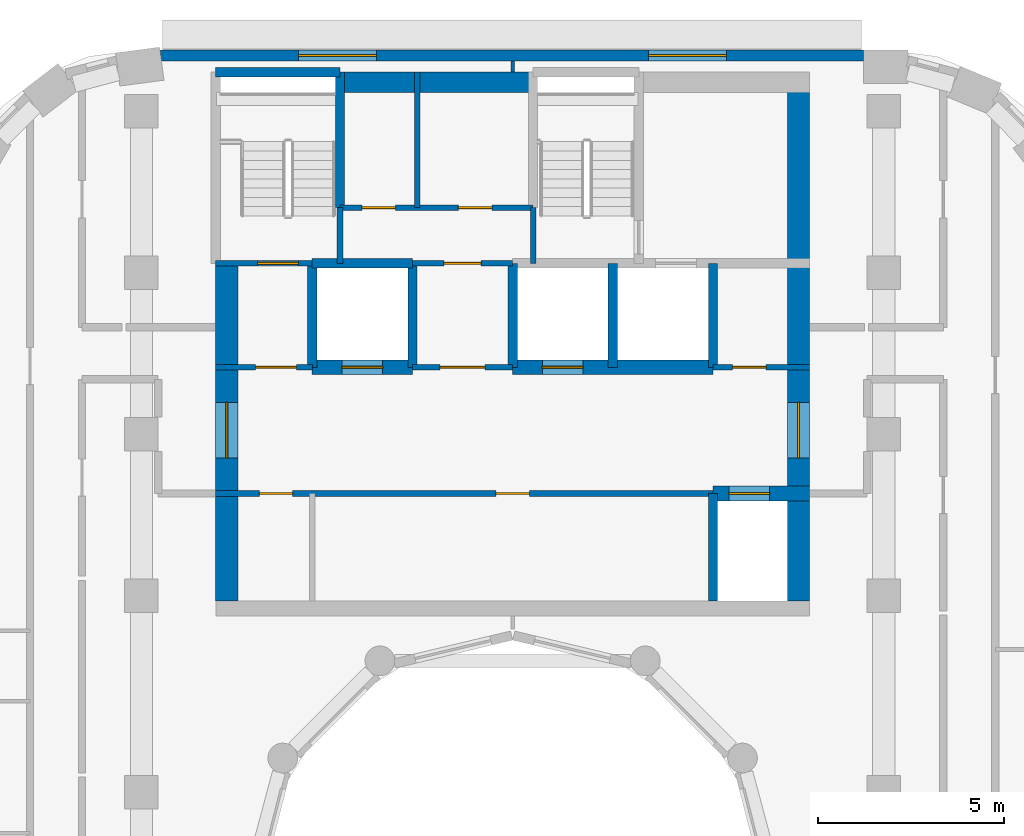
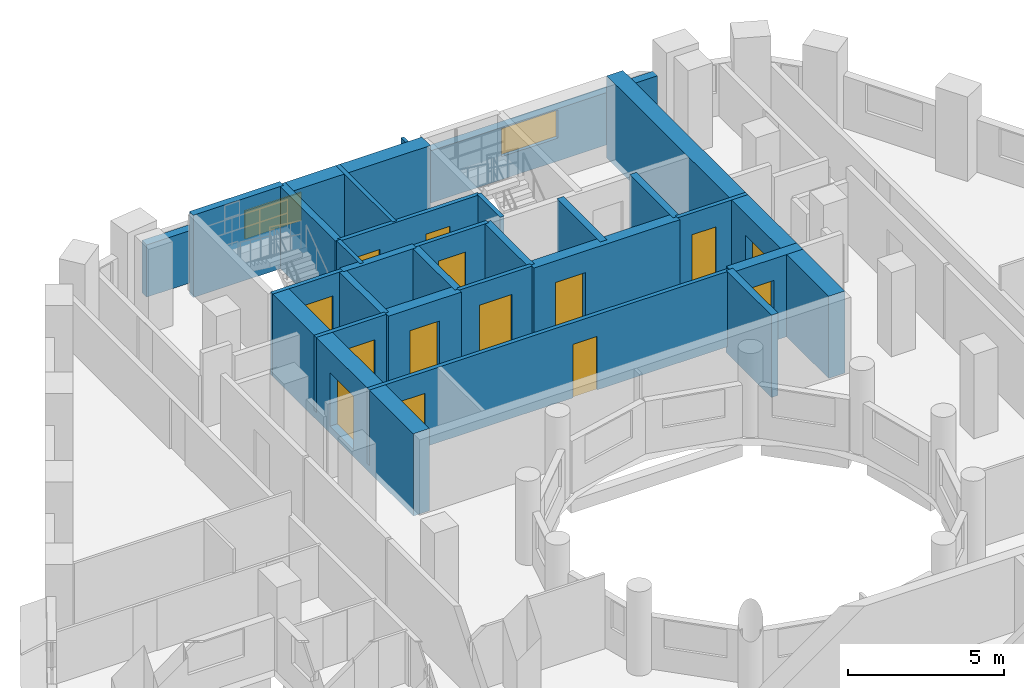
# One storey, part 8 of 15: 27 walls, 14 doors, 2 windows, 16 openings.
"""IFC4 building model written with IfcOpenShell, lengths in metres."""

from ifc_helpers import new_model, si_unit, direction, frame, frame_2d, origin, place, context, subcontext, project, spatial, rectangle, extrude, material, layer, layer_set, type_object, element, fill, save


model = new_model("IFC4")

# Units and contexts
model_context = context("Model", 3, precision=1e-05, world=origin(), true_north=direction((0.0, 1.0)))
body_context = subcontext(model_context, "Body", "Model", "MODEL_VIEW")
ifc_project = project(units=[si_unit("LENGTHUNIT", "METRE"), si_unit("AREAUNIT", "SQUARE_METRE"), si_unit("VOLUMEUNIT", "CUBIC_METRE"), si_unit("PLANEANGLEUNIT", "RADIAN"), si_unit("MASSUNIT", "GRAM", prefix="KILO")], contexts=[model_context])

# Site, building, storey
site_placement = place(None, origin())
site = spatial("IfcSite", under=ifc_project, at=site_placement, CompositionType="ELEMENT")
building_placement = place(site_placement, origin())
building = spatial("IfcBuilding", under=site, at=building_placement, Name="Nakaniwa Court", CompositionType="ELEMENT")
storey_placement = place(building_placement, frame((0.0, 0.0, 216.300048828125)))
storey = spatial("IfcBuildingStorey", under=building, at=storey_placement, Name="L57", CompositionType="ELEMENT", Elevation=216.300048828125)

# Wall, openings, windows
ifc_material_1 = material(Name="Charcoal ceramic cladding")
ifc_layer_1 = layer(ifc_material_1, 0.02, Name="Ceramic cladding")
ifc_material_2 = material(Name="Ventilated air cavity")
ifc_layer_2 = layer(ifc_material_2, 0.04, ventilated=True, Name="Ventilated cavity")
ifc_material_3 = material(Name="Mineral wool insulation")
ifc_layer_3 = layer(ifc_material_3, 0.1, Name="Insulation")
ifc_material_4 = material(Name="Cement bonded sheathing board")
ifc_layer_4 = layer(ifc_material_4, 0.012, Name="Sheathing")
ifc_material_5 = material(Name="Cold-formed galvanised stud frame with mineral wool infill")
ifc_layer_5 = layer(ifc_material_5, 0.1, Name="Stud frame")
ifc_material_6 = material(Name="Fire-rated gypsum plasterboard lining")
ifc_layer_6 = layer(ifc_material_6, 0.028, Name="Lining")
ifc_layer_set_1 = layer_set([ifc_layer_1, ifc_layer_2, ifc_layer_3, ifc_layer_4, ifc_layer_5, ifc_layer_6], Name="Charcoal ceramic faced external wall system")
wall_type_1 = type_object("IfcWallType", Name="Black ceramic faced external wall 300", PredefinedType="SOLIDWALL", material=ifc_layer_set_1)
wall_1_placement = place(storey_placement, frame((89.44921875, 102.5, 0.0), z_axis=(0.0, 0.0, 1.0), x_axis=(-1.0, 0.0, 0.0)))
wall_1 = element("IfcWall", 1, at=wall_1_placement, inside=storey, type_object=wall_type_1, Name="L57 external wall 08", PredefinedType="SOLIDWALL", context=body_context, shape_type="SweptSolid", body=[
    extrude(rectangle(XDim=18.932861328125, YDim=0.300048828125, at=frame_2d((9.46630859375, 0.0))), origin(), (0.0, 0.0, 1.0), 2.050048828125),
])
opening_1_placement = place(wall_1_placement, frame((3.6865234375, 0.0, 0.89990234375)))
opening_1 = element("IfcOpeningElement", 2, at=opening_1_placement, cuts=wall_1, Name="Opening W7.09", PredefinedType="OPENING", context=body_context, shape_type="SweptSolid", body=[
    extrude(rectangle(XDim=2.10009765625, YDim=1.10009765625, at=frame_2d((1.050048828125, 0.550048828125))), frame((0.0, 0.159912109375, 0.0), z_axis=(0.0, -1.0, 0.0), x_axis=(1.0, 0.0, 0.0)), (0.0, 0.0, 1.0), 0.320068359375),
])
opening_2_placement = place(wall_1_placement, frame((13.117919921875, 0.0, 0.89990234375)))
opening_2 = element("IfcOpeningElement", 3, at=opening_2_placement, cuts=wall_1, Name="Opening W7.10", PredefinedType="OPENING", context=body_context, shape_type="SweptSolid", body=[
    extrude(rectangle(XDim=2.10009765625, YDim=1.10009765625, at=frame_2d((1.050048828125, 0.550048828125))), frame((0.0, 0.159912109375, 0.0), z_axis=(0.0, -1.0, 0.0), x_axis=(1.0, 0.0, 0.0)), (0.0, 0.0, 1.0), 0.320068359375),
])
ifc_material_7 = material(Name="Black anodised aluminium frame with dark low-E laminated double glazing", Category="aluminium")
window_type = type_object("IfcWindowType", Name="Dark glass window 2100x1100 sill 900", PartitioningType="SINGLE_PANEL", PredefinedType="WINDOW", material=ifc_material_7)
window_1_placement = place(opening_1_placement, origin())
window_1 = element("IfcWindow", 4, at=window_1_placement, inside=storey, type_object=window_type, Name="L57 habitable room window 08-0", OverallHeight=1.10009765625, OverallWidth=2.10009765625, PartitioningType="SINGLE_PANEL", PredefinedType="WINDOW", context=body_context, shape_type="SweptSolid", body=[
    extrude(rectangle(XDim=2.10009765625, YDim=1.10009765625, at=frame_2d((1.050048828125, 0.550048828125))), frame((0.0, 0.030029296875, 0.0), z_axis=(0.0, -1.0, 0.0), x_axis=(1.0, 0.0, 0.0)), (0.0, 0.0, 1.0), 0.06005859375),
])
fill(opening_1, window_1)
window_2_placement = place(opening_2_placement, origin())
window_2 = element("IfcWindow", 5, at=window_2_placement, inside=storey, type_object=window_type, Name="L57 habitable room window 08-1", OverallHeight=1.10009765625, OverallWidth=2.10009765625, PartitioningType="SINGLE_PANEL", PredefinedType="WINDOW", context=body_context, shape_type="SweptSolid", body=[
    extrude(rectangle(XDim=2.10009765625, YDim=1.10009765625, at=frame_2d((1.050048828125, 0.550048828125))), frame((0.0, 0.030029296875, 0.0), z_axis=(0.0, -1.0, 0.0), x_axis=(1.0, 0.0, 0.0)), (0.0, 0.0, 1.0), 0.06005859375),
])
fill(opening_2, window_2)

# Wall, openings, doors
ifc_material_8 = material(Name="Blockwork partition", Category="masonry")
ifc_layer_7 = layer(ifc_material_8, 0.14990234375)
ifc_layer_set_2 = layer_set([ifc_layer_7], Name="Blockwork partition")
wall_type_2 = type_object("IfcWallType", Name="Blockwork partition 150", PredefinedType="PARTITIONING", material=ifc_layer_set_2)
wall_2_placement = place(storey_placement, frame((85.39990234375, 90.699951171875, 0.0), z_axis=(0.0, 0.0, 1.0), x_axis=(-1.0, 0.0, 0.0)))
wall_2 = element("IfcWall", 6, at=wall_2_placement, inside=storey, type_object=wall_type_2, Name="Partition PW-002", PredefinedType="PARTITIONING", context=body_context, shape_type="SweptSolid", body=[
    extrude(rectangle(XDim=13.39990234375, YDim=0.14990234375, at=frame_2d((6.699951171875, 0.0))), origin(), (0.0, 0.0, 1.0), 2.949951171875),
])
opening_3_placement = place(wall_2_placement, frame((11.324951171875, 0.0, 0.0)))
opening_3 = element("IfcOpeningElement", 7, at=opening_3_placement, cuts=wall_2, Name="Opening D-05-01", PredefinedType="OPENING", context=body_context, shape_type="SweptSolid", body=[
    extrude(rectangle(XDim=0.89990234375, YDim=2.10009765625, at=frame_2d((0.449951171875, 1.050048828125))), frame((0.0, 0.0849609375, 0.0), z_axis=(0.0, -1.0, 0.0), x_axis=(1.0, 0.0, 0.0)), (0.0, 0.0, 1.0), 0.169921875),
])
opening_4_placement = place(wall_2_placement, frame((4.949951171875, 0.0, 0.0)))
opening_4 = element("IfcOpeningElement", 8, at=opening_4_placement, cuts=wall_2, Name="Opening D-05-02", PredefinedType="OPENING", context=body_context, shape_type="SweptSolid", body=[
    extrude(rectangle(XDim=0.89990234375, YDim=2.10009765625, at=frame_2d((0.449951171875, 1.050048828125))), frame((0.0, 0.0849609375, 0.0), z_axis=(0.0, -1.0, 0.0), x_axis=(1.0, 0.0, 0.0)), (0.0, 0.0, 1.0), 0.169921875),
])
ifc_material_9 = material(Name="Fire rated steel door set", Category="steel")
door_type_1 = type_object("IfcDoorType", Name="Service room door 900", OperationType="NOTDEFINED", PredefinedType="DOOR", material=ifc_material_9)
door_1_placement = place(opening_3_placement, origin())
door_1 = element("IfcDoor", 9, at=door_1_placement, inside=storey, type_object=door_type_1, Name="Door D-05-01 L57-001", OperationType="SINGLE_SWING_RIGHT", OverallHeight=2.10009765625, OverallWidth=0.89990234375, PredefinedType="DOOR", context=body_context, shape_type="SweptSolid", body=[
    extrude(rectangle(XDim=0.89990234375, YDim=2.10009765625, at=frame_2d((0.449951171875, 1.050048828125))), frame((0.0, 0.02490234375, 0.0), z_axis=(0.0, -1.0, 0.0), x_axis=(1.0, 0.0, 0.0)), (0.0, 0.0, 1.0), 0.050048828125),
])
fill(opening_3, door_1)
door_2_placement = place(opening_4_placement, origin())
door_2 = element("IfcDoor", 10, at=door_2_placement, inside=storey, type_object=door_type_1, Name="Door D-05-02 L57-002", OperationType="SINGLE_SWING_LEFT", OverallHeight=2.10009765625, OverallWidth=0.89990234375, PredefinedType="DOOR", context=body_context, shape_type="SweptSolid", body=[
    extrude(rectangle(XDim=0.89990234375, YDim=2.10009765625, at=frame_2d((0.449951171875, 1.050048828125))), frame((0.0, 0.02490234375, 0.0), z_axis=(0.0, -1.0, 0.0), x_axis=(1.0, 0.0, 0.0)), (0.0, 0.0, 1.0), 0.050048828125),
])
fill(opening_4, door_2)

# Wall, opening, door
wall_3_placement = place(storey_placement, frame((72.0, 94.10009765625, 0.0), z_axis=(0.0, 0.0, 1.0), x_axis=(1.0, 0.0, 0.0)))
wall_3 = element("IfcWall", 11, at=wall_3_placement, inside=storey, type_object=wall_type_2, Name="Partition PW-008", PredefinedType="PARTITIONING", context=body_context, shape_type="SweptSolid", body=[
    extrude(rectangle(XDim=2.60302734375, YDim=0.14990234375, at=frame_2d((1.301513671875, 0.0))), origin(), (0.0, 0.0, 1.0), 2.949951171875),
])
opening_5_placement = place(wall_3_placement, frame((1.074951171875, 0.0, 0.0)))
opening_5 = element("IfcOpeningElement", 12, at=opening_5_placement, cuts=wall_3, Name="Opening D-08-01", PredefinedType="OPENING", context=body_context, shape_type="SweptSolid", body=[
    extrude(rectangle(XDim=1.10009765625, YDim=2.10009765625, at=frame_2d((0.550048828125, 1.050048828125))), frame((0.0, 0.0849609375, 0.0), z_axis=(0.0, -1.0, 0.0), x_axis=(1.0, 0.0, 0.0)), (0.0, 0.0, 1.0), 0.169921875),
])
door_type_2 = type_object("IfcDoorType", Name="Stair lobby door 1100", OperationType="NOTDEFINED", PredefinedType="DOOR", material=ifc_material_9)
door_3_placement = place(opening_5_placement, origin())
door_3 = element("IfcDoor", 13, at=door_3_placement, inside=storey, type_object=door_type_2, Name="Door D-08-01 L57-003", OperationType="SINGLE_SWING_RIGHT", OverallHeight=2.10009765625, OverallWidth=1.10009765625, PredefinedType="DOOR", context=body_context, shape_type="SweptSolid", body=[
    extrude(rectangle(XDim=1.10009765625, YDim=2.10009765625, at=frame_2d((0.550048828125, 1.050048828125))), frame((0.0, 0.02490234375, 0.0), z_axis=(0.0, -1.0, 0.0), x_axis=(1.0, 0.0, 0.0)), (0.0, 0.0, 1.0), 0.050048828125),
])
fill(opening_5, door_3)

wall_4_placement = place(storey_placement, frame((77.297119140625, 94.10009765625, 0.0), z_axis=(0.0, 0.0, 1.0), x_axis=(1.0, 0.0, 0.0)))
wall_4 = element("IfcWall", 14, at=wall_4_placement, inside=storey, type_object=wall_type_2, Name="Partition PW-009", PredefinedType="PARTITIONING", context=body_context, shape_type="SweptSolid", body=[
    extrude(rectangle(XDim=2.705810546875, YDim=0.14990234375, at=frame_2d((1.35302734375, 0.0))), origin(), (0.0, 0.0, 1.0), 2.949951171875),
])
opening_6_placement = place(wall_4_placement, frame((0.7529296875, 0.0, 0.0)))
opening_6 = element("IfcOpeningElement", 15, at=opening_6_placement, cuts=wall_4, Name="Opening D-06-01", PredefinedType="OPENING", context=body_context, shape_type="SweptSolid", body=[
    extrude(rectangle(XDim=1.199951171875, YDim=2.10009765625, at=frame_2d((0.60009765625, 1.050048828125))), frame((0.0, 0.0849609375, 0.0), z_axis=(0.0, -1.0, 0.0), x_axis=(1.0, 0.0, 0.0)), (0.0, 0.0, 1.0), 0.169921875),
])
ifc_material_10 = material(Name="Fire rated steel double door set", Category="steel")
door_type_3 = type_object("IfcDoorType", Name="Service passage double door 1200", OperationType="NOTDEFINED", PredefinedType="DOOR", material=ifc_material_10)
door_4_placement = place(opening_6_placement, origin())
door_4 = element("IfcDoor", 16, at=door_4_placement, inside=storey, type_object=door_type_3, Name="Door D-06-01 L57-004", OperationType="DOUBLE_DOOR_SINGLE_SWING", OverallHeight=2.10009765625, OverallWidth=1.199951171875, PredefinedType="DOOR", context=body_context, shape_type="SweptSolid", body=[
    extrude(rectangle(XDim=1.199951171875, YDim=2.10009765625, at=frame_2d((0.60009765625, 1.050048828125))), frame((0.0, 0.02490234375, 0.0), z_axis=(0.0, -1.0, 0.0), x_axis=(1.0, 0.0, 0.0)), (0.0, 0.0, 1.0), 0.050048828125),
])
fill(opening_6, door_4)

wall_5_placement = place(storey_placement, frame((85.39697265625, 94.10009765625, 0.0), z_axis=(0.0, 0.0, 1.0), x_axis=(1.0, 0.0, 0.0)))
wall_5 = element("IfcWall", 17, at=wall_5_placement, inside=storey, type_object=wall_type_2, Name="Partition PW-010", PredefinedType="PARTITIONING", context=body_context, shape_type="SweptSolid", body=[
    extrude(rectangle(XDim=2.60302734375, YDim=0.14990234375, at=frame_2d((1.301513671875, 0.0))), origin(), (0.0, 0.0, 1.0), 2.949951171875),
])
opening_7_placement = place(wall_5_placement, frame((0.528076171875, 0.0, 0.0)))
opening_7 = element("IfcOpeningElement", 18, at=opening_7_placement, cuts=wall_5, Name="Opening D-05-03", PredefinedType="OPENING", context=body_context, shape_type="SweptSolid", body=[
    extrude(rectangle(XDim=0.89990234375, YDim=2.10009765625, at=frame_2d((0.449951171875, 1.050048828125))), frame((0.0, 0.0849609375, 0.0), z_axis=(0.0, -1.0, 0.0), x_axis=(1.0, 0.0, 0.0)), (0.0, 0.0, 1.0), 0.169921875),
])
door_5_placement = place(opening_7_placement, origin())
door_5 = element("IfcDoor", 19, at=door_5_placement, inside=storey, type_object=door_type_1, Name="Door D-05-03 L57-005", OperationType="SINGLE_SWING_RIGHT", OverallHeight=2.10009765625, OverallWidth=0.89990234375, PredefinedType="DOOR", context=body_context, shape_type="SweptSolid", body=[
    extrude(rectangle(XDim=0.89990234375, YDim=2.10009765625, at=frame_2d((0.449951171875, 1.050048828125))), frame((0.0, 0.02490234375, 0.0), z_axis=(0.0, -1.0, 0.0), x_axis=(1.0, 0.0, 0.0)), (0.0, 0.0, 1.0), 0.050048828125),
])
fill(opening_7, door_5)

wall_6_placement = place(storey_placement, frame((77.300048828125, 96.89990234375, 0.0), z_axis=(0.0, 0.0, 1.0), x_axis=(1.0, 0.0, 0.0)))
wall_6 = element("IfcWall", 20, at=wall_6_placement, inside=storey, type_object=wall_type_2, Name="Partition PW-019", PredefinedType="PARTITIONING", context=body_context, shape_type="SweptSolid", body=[
    extrude(rectangle(XDim=2.699951171875, YDim=0.14990234375, at=frame_2d((1.35009765625, 0.0))), origin(), (0.0, 0.0, 1.0), 2.949951171875),
])
opening_8_placement = place(wall_6_placement, frame((0.85009765625, 0.0, 0.0)))
opening_8 = element("IfcOpeningElement", 21, at=opening_8_placement, cuts=wall_6, Name="Opening D-23-01", PredefinedType="OPENING", context=body_context, shape_type="SweptSolid", body=[
    extrude(rectangle(XDim=1.0, YDim=2.10009765625, at=frame_2d((0.5, 1.050048828125))), frame((0.0, 0.0849609375, 0.0), z_axis=(0.0, -1.0, 0.0), x_axis=(1.0, 0.0, 0.0)), (0.0, 0.0, 1.0), 0.169921875),
])
door_type_4 = type_object("IfcDoorType", Name="Service room door 1000", OperationType="NOTDEFINED", PredefinedType="DOOR", material=ifc_material_9)
door_6_placement = place(opening_8_placement, origin())
door_6 = element("IfcDoor", 22, at=door_6_placement, inside=storey, type_object=door_type_4, Name="Door D-23-01 L57-006", OperationType="SINGLE_SWING_LEFT", OverallHeight=2.10009765625, OverallWidth=1.0, PredefinedType="DOOR", context=body_context, shape_type="SweptSolid", body=[
    extrude(rectangle(XDim=1.0, YDim=2.10009765625, at=frame_2d((0.5, 1.050048828125))), frame((0.0, 0.02490234375, 0.0), z_axis=(0.0, -1.0, 0.0), x_axis=(1.0, 0.0, 0.0)), (0.0, 0.0, 1.0), 0.050048828125),
])
fill(opening_8, door_6)

# Wall, openings, doors
wall_7_placement = place(storey_placement, frame((75.35009765625, 98.39990234375, 0.0), z_axis=(0.0, 0.0, 1.0), x_axis=(1.0, 0.0, 0.0)))
wall_7 = element("IfcWall", 23, at=wall_7_placement, inside=storey, type_object=wall_type_2, Name="Partition PW-031", PredefinedType="PARTITIONING", context=body_context, shape_type="SweptSolid", body=[
    extrude(rectangle(XDim=5.199951171875, YDim=0.14990234375, at=frame_2d((2.60009765625, 0.0))), origin(), (0.0, 0.0, 1.0), 2.949951171875),
])
opening_9_placement = place(wall_7_placement, frame((0.590087890625, 0.0, 0.0)))
opening_9 = element("IfcOpeningElement", 24, at=opening_9_placement, cuts=wall_7, Name="Opening D-05-04", PredefinedType="OPENING", context=body_context, shape_type="SweptSolid", body=[
    extrude(rectangle(XDim=0.89990234375, YDim=2.10009765625, at=frame_2d((0.449951171875, 1.050048828125))), frame((0.0, 0.0849609375, 0.0), z_axis=(0.0, -1.0, 0.0), x_axis=(1.0, 0.0, 0.0)), (0.0, 0.0, 1.0), 0.169921875),
])
opening_10_placement = place(wall_7_placement, frame((3.18994140625, 0.0, 0.0)))
opening_10 = element("IfcOpeningElement", 25, at=opening_10_placement, cuts=wall_7, Name="Opening D-05-05", PredefinedType="OPENING", context=body_context, shape_type="SweptSolid", body=[
    extrude(rectangle(XDim=0.89990234375, YDim=2.10009765625, at=frame_2d((0.449951171875, 1.050048828125))), frame((0.0, 0.0849609375, 0.0), z_axis=(0.0, -1.0, 0.0), x_axis=(1.0, 0.0, 0.0)), (0.0, 0.0, 1.0), 0.169921875),
])
door_7_placement = place(opening_9_placement, origin())
door_7 = element("IfcDoor", 26, at=door_7_placement, inside=storey, type_object=door_type_1, Name="Door D-05-04 L57-007", OperationType="SINGLE_SWING_RIGHT", OverallHeight=2.10009765625, OverallWidth=0.89990234375, PredefinedType="DOOR", context=body_context, shape_type="SweptSolid", body=[
    extrude(rectangle(XDim=0.89990234375, YDim=2.10009765625, at=frame_2d((0.449951171875, 1.050048828125))), frame((0.0, 0.02490234375, 0.0), z_axis=(0.0, -1.0, 0.0), x_axis=(1.0, 0.0, 0.0)), (0.0, 0.0, 1.0), 0.050048828125),
])
fill(opening_9, door_7)
door_8_placement = place(opening_10_placement, origin())
door_8 = element("IfcDoor", 27, at=door_8_placement, inside=storey, type_object=door_type_1, Name="Door D-05-05 L57-008", OperationType="SINGLE_SWING_LEFT", OverallHeight=2.10009765625, OverallWidth=0.89990234375, PredefinedType="DOOR", context=body_context, shape_type="SweptSolid", body=[
    extrude(rectangle(XDim=0.89990234375, YDim=2.10009765625, at=frame_2d((0.449951171875, 1.050048828125))), frame((0.0, 0.02490234375, 0.0), z_axis=(0.0, -1.0, 0.0), x_axis=(1.0, 0.0, 0.0)), (0.0, 0.0, 1.0), 0.050048828125),
])
fill(opening_10, door_8)

# Wall
wall_8_placement = place(storey_placement, frame((77.429931640625, 98.39990234375, 0.0), z_axis=(0.0, 0.0, 1.0), x_axis=(0.0, 1.0, 0.0)))
element("IfcWall", 28, at=wall_8_placement, inside=storey, type_object=wall_type_2, Name="Partition PW-032", PredefinedType="PARTITIONING", context=body_context, shape_type="SweptSolid", body=[
    extrude(rectangle(XDim=3.650146484375, YDim=0.14990234375, at=frame_2d((1.8251953125, 0.0))), origin(), (0.0, 0.0, 1.0), 2.949951171875),
])

# Wall, opening, door
ifc_material_11 = material(Name="Concrete C80/100", Category="concrete")
ifc_layer_8 = layer(ifc_material_11, 0.60009765625)
ifc_layer_set_3 = layer_set([ifc_layer_8], Name="Concrete C80/100")
wall_type_3 = type_object("IfcWallType", Name="Concrete core side wall 600 C80", PredefinedType="SHEAR", material=ifc_layer_set_3)
wall_9_placement = place(storey_placement, frame((72.300048828125, 87.800048828125, -0.275146484375), z_axis=(0.0, 0.0, 1.0), x_axis=(0.0, 1.0, 0.0)))
wall_9 = element("IfcWall", 29, at=wall_9_placement, inside=storey, type_object=wall_type_3, Name="Core wall SW-03", PredefinedType="SHEAR", context=body_context, shape_type="SweptSolid", body=[
    extrude(rectangle(XDim=9.099853515625, YDim=0.60009765625, at=frame_2d((4.5498046875, 0.0))), origin(), (0.0, 0.0, 1.0), 3.22509765625),
])
opening_11_placement = place(wall_9_placement, frame((3.85205078125, 0.0, 0.27490234375)))
opening_11 = element("IfcOpeningElement", 30, at=opening_11_placement, cuts=wall_9, Name="Opening D-07-02", PredefinedType="OPENING", context=body_context, shape_type="SweptSolid", body=[
    extrude(rectangle(XDim=1.5, YDim=2.10009765625, at=frame_2d((0.75, 1.050048828125))), frame((0.0, 0.31005859375, 0.0), z_axis=(0.0, -1.0, 0.0), x_axis=(1.0, 0.0, 0.0)), (0.0, 0.0, 1.0), 0.6201171875),
])
ifc_material_12 = material(Name="Glazed fire rated steel double door set", Category="steel")
door_type_5 = type_object("IfcDoorType", Name="Lobby double door 1500", OperationType="NOTDEFINED", PredefinedType="DOOR", material=ifc_material_12)
door_9_placement = place(opening_11_placement, origin())
door_9 = element("IfcDoor", 31, at=door_9_placement, inside=storey, type_object=door_type_5, Name="Door D-07-02 L57-053", OperationType="DOUBLE_DOOR_SINGLE_SWING", OverallHeight=2.10009765625, OverallWidth=1.5, PredefinedType="DOOR", context=body_context, shape_type="SweptSolid", body=[
    extrude(rectangle(XDim=1.5, YDim=2.10009765625, at=frame_2d((0.75, 1.050048828125))), frame((0.0, 0.02490234375, 0.0), z_axis=(0.0, -1.0, 0.0), x_axis=(1.0, 0.0, 0.0)), (0.0, 0.0, 1.0), 0.050048828125),
])
fill(opening_11, door_9)

wall_10_placement = place(storey_placement, frame((87.699951171875, 102.050048828125, -0.275146484375), z_axis=(0.0, 0.0, 1.0), x_axis=(0.0, -1.0, 0.0)))
wall_10 = element("IfcWall", 32, at=wall_10_placement, inside=storey, type_object=wall_type_3, Name="Core wall SW-07", PredefinedType="SHEAR", context=body_context, shape_type="SweptSolid", body=[
    extrude(rectangle(XDim=14.25, YDim=0.60009765625, at=frame_2d((7.125, 0.0))), origin(), (0.0, 0.0, 1.0), 3.22509765625),
])
opening_12_placement = place(wall_10_placement, frame((8.89794921875, 0.0, 0.27490234375)))
opening_12 = element("IfcOpeningElement", 33, at=opening_12_placement, cuts=wall_10, Name="Opening D-07-01", PredefinedType="OPENING", context=body_context, shape_type="SweptSolid", body=[
    extrude(rectangle(XDim=1.5, YDim=2.10009765625, at=frame_2d((0.75, 1.050048828125))), frame((0.0, 0.31005859375, 0.0), z_axis=(0.0, -1.0, 0.0), x_axis=(1.0, 0.0, 0.0)), (0.0, 0.0, 1.0), 0.6201171875),
])
door_10_placement = place(opening_12_placement, origin())
door_10 = element("IfcDoor", 34, at=door_10_placement, inside=storey, type_object=door_type_5, Name="Door D-07-01 L57-052", OperationType="DOUBLE_DOOR_SINGLE_SWING", OverallHeight=2.10009765625, OverallWidth=1.5, PredefinedType="DOOR", context=body_context, shape_type="SweptSolid", body=[
    extrude(rectangle(XDim=1.5, YDim=2.10009765625, at=frame_2d((0.75, 1.050048828125))), frame((0.0, 0.02490234375, 0.0), z_axis=(0.0, -1.0, 0.0), x_axis=(1.0, 0.0, 0.0)), (0.0, 0.0, 1.0), 0.050048828125),
])
fill(opening_12, door_10)

ifc_layer_9 = layer(ifc_material_11, 0.39990234375)
ifc_layer_set_4 = layer_set([ifc_layer_9], Name="Concrete C80/100")
wall_type_4 = type_object("IfcWallType", Name="Concrete core spine wall 400 C80", PredefinedType="SHEAR", material=ifc_layer_set_4)
wall_11_placement = place(storey_placement, frame((85.39990234375, 90.699951171875, -0.275146484375), z_axis=(0.0, 0.0, 1.0), x_axis=(1.0, 0.0, 0.0)))
wall_11 = element("IfcWall", 35, at=wall_11_placement, inside=storey, type_object=wall_type_4, Name="Core wall SW-06", PredefinedType="SHEAR", context=body_context, shape_type="SweptSolid", body=[
    extrude(rectangle(XDim=2.60009765625, YDim=0.39990234375, at=frame_2d((1.300048828125, 0.0))), origin(), (0.0, 0.0, 1.0), 3.22509765625),
])
opening_13_placement = place(wall_11_placement, frame((0.425048828125, 0.0, 0.27490234375)))
opening_13 = element("IfcOpeningElement", 36, at=opening_13_placement, cuts=wall_11, Name="Opening LD01", PredefinedType="OPENING", context=body_context, shape_type="SweptSolid", body=[
    extrude(rectangle(XDim=1.10009765625, YDim=2.10009765625, at=frame_2d((0.550048828125, 1.050048828125))), frame((0.0, 0.2099609375, 0.0), z_axis=(0.0, -1.0, 0.0), x_axis=(1.0, 0.0, 0.0)), (0.0, 0.0, 1.0), 0.419921875),
])
ifc_material_13 = material(Name="Stainless steel sliding lift landing door", Category="steel")
door_type_6 = type_object("IfcDoorType", Name="Lift landing door 1100", OperationType="NOTDEFINED", PredefinedType="DOOR", material=ifc_material_13)
door_11_placement = place(opening_13_placement, origin())
door_11 = element("IfcDoor", 37, at=door_11_placement, inside=storey, type_object=door_type_6, Name="Lift landing door LD01 L57-001", OperationType="SLIDING_TO_LEFT", OverallHeight=2.10009765625, OverallWidth=1.10009765625, PredefinedType="DOOR", context=body_context, shape_type="SweptSolid", body=[
    extrude(rectangle(XDim=1.10009765625, YDim=2.10009765625, at=frame_2d((0.550048828125, 1.050048828125))), frame((0.0, 0.02490234375, 0.0), z_axis=(0.0, -1.0, 0.0), x_axis=(1.0, 0.0, 0.0)), (0.0, 0.0, 1.0), 0.050048828125),
])
fill(opening_13, door_11)

wall_12_placement = place(storey_placement, frame((74.596923828125, 94.10009765625, -0.275146484375), z_axis=(0.0, 0.0, 1.0), x_axis=(1.0, 0.0, 0.0)))
wall_12 = element("IfcWall", 38, at=wall_12_placement, inside=storey, type_object=wall_type_4, Name="Core wall SW-11", PredefinedType="SHEAR", context=body_context, shape_type="SweptSolid", body=[
    extrude(rectangle(XDim=2.7060546875, YDim=0.39990234375, at=frame_2d((1.35302734375, 0.0))), origin(), (0.0, 0.0, 1.0), 3.22509765625),
])
opening_14_placement = place(wall_12_placement, frame((0.802978515625, 0.0, 0.27490234375)))
opening_14 = element("IfcOpeningElement", 39, at=opening_14_placement, cuts=wall_12, Name="Opening LD02", PredefinedType="OPENING", context=body_context, shape_type="SweptSolid", body=[
    extrude(rectangle(XDim=1.10009765625, YDim=2.10009765625, at=frame_2d((0.550048828125, 1.050048828125))), frame((0.0, 0.2099609375, 0.0), z_axis=(0.0, -1.0, 0.0), x_axis=(1.0, 0.0, 0.0)), (0.0, 0.0, 1.0), 0.419921875),
])
door_12_placement = place(opening_14_placement, origin())
door_12 = element("IfcDoor", 40, at=door_12_placement, inside=storey, type_object=door_type_6, Name="Lift landing door LD02 L57-002", OperationType="SLIDING_TO_LEFT", OverallHeight=2.10009765625, OverallWidth=1.10009765625, PredefinedType="DOOR", context=body_context, shape_type="SweptSolid", body=[
    extrude(rectangle(XDim=1.10009765625, YDim=2.10009765625, at=frame_2d((0.550048828125, 1.050048828125))), frame((0.0, 0.02490234375, 0.0), z_axis=(0.0, -1.0, 0.0), x_axis=(1.0, 0.0, 0.0)), (0.0, 0.0, 1.0), 0.050048828125),
])
fill(opening_14, door_12)

wall_13_placement = place(storey_placement, frame((79.9970703125, 94.10009765625, -0.275146484375), z_axis=(0.0, 0.0, 1.0), x_axis=(1.0, 0.0, 0.0)))
wall_13 = element("IfcWall", 41, at=wall_13_placement, inside=storey, type_object=wall_type_4, Name="Core wall SW-12", PredefinedType="SHEAR", context=body_context, shape_type="SweptSolid", body=[
    extrude(rectangle(XDim=5.406005859375, YDim=0.39990234375, at=frame_2d((2.703125, 0.0))), origin(), (0.0, 0.0, 1.0), 3.22509765625),
])
opening_15_placement = place(wall_13_placement, frame((0.802978515625, 0.0, 0.27490234375)))
opening_15 = element("IfcOpeningElement", 42, at=opening_15_placement, cuts=wall_13, Name="Opening LD03", PredefinedType="OPENING", context=body_context, shape_type="SweptSolid", body=[
    extrude(rectangle(XDim=1.10009765625, YDim=2.10009765625, at=frame_2d((0.550048828125, 1.050048828125))), frame((0.0, 0.2099609375, 0.0), z_axis=(0.0, -1.0, 0.0), x_axis=(1.0, 0.0, 0.0)), (0.0, 0.0, 1.0), 0.419921875),
])
door_13_placement = place(opening_15_placement, origin())
door_13 = element("IfcDoor", 43, at=door_13_placement, inside=storey, type_object=door_type_6, Name="Lift landing door LD03 L57-003", OperationType="SLIDING_TO_LEFT", OverallHeight=2.10009765625, OverallWidth=1.10009765625, PredefinedType="DOOR", context=body_context, shape_type="SweptSolid", body=[
    extrude(rectangle(XDim=1.10009765625, YDim=2.10009765625, at=frame_2d((0.550048828125, 1.050048828125))), frame((0.0, 0.02490234375, 0.0), z_axis=(0.0, -1.0, 0.0), x_axis=(1.0, 0.0, 0.0)), (0.0, 0.0, 1.0), 0.050048828125),
])
fill(opening_15, door_13)

ifc_layer_10 = layer(ifc_material_11, 0.14990234375)
ifc_layer_set_5 = layer_set([ifc_layer_10], Name="Concrete C80/100")
wall_type_5 = type_object("IfcWallType", Name="Concrete core wall 150 C80", PredefinedType="SHEAR", material=ifc_layer_set_5)
wall_14_placement = place(storey_placement, frame((74.60009765625, 96.89990234375, -0.275146484375), z_axis=(0.0, 0.0, 1.0), x_axis=(-1.0, 0.0, 0.0)))
wall_14 = element("IfcWall", 44, at=wall_14_placement, inside=storey, type_object=wall_type_5, Name="Core wall SW-14", PredefinedType="SHEAR", context=body_context, shape_type="SweptSolid", body=[
    extrude(rectangle(XDim=2.60009765625, YDim=0.14990234375, at=frame_2d((1.300048828125, 0.0))), origin(), (0.0, 0.0, 1.0), 3.22509765625),
])
opening_16_placement = place(wall_14_placement, frame((0.3701171875, 0.0, 0.27490234375)))
opening_16 = element("IfcOpeningElement", 45, at=opening_16_placement, cuts=wall_14, Name="Opening D-09-01", PredefinedType="OPENING", context=body_context, shape_type="SweptSolid", body=[
    extrude(rectangle(XDim=1.10009765625, YDim=2.10009765625, at=frame_2d((0.550048828125, 1.050048828125))), frame((0.0, 0.0849609375, 0.0), z_axis=(0.0, -1.0, 0.0), x_axis=(1.0, 0.0, 0.0)), (0.0, 0.0, 1.0), 0.169921875),
])
door_type_7 = type_object("IfcDoorType", Name="Stair door 1100", OperationType="NOTDEFINED", PredefinedType="DOOR", material=ifc_material_9)
door_14_placement = place(opening_16_placement, origin())
door_14 = element("IfcDoor", 46, at=door_14_placement, inside=storey, type_object=door_type_7, Name="Door D-09-01 L57-009", OperationType="SINGLE_SWING_LEFT", OverallHeight=2.10009765625, OverallWidth=1.10009765625, PredefinedType="DOOR", context=body_context, shape_type="SweptSolid", body=[
    extrude(rectangle(XDim=1.10009765625, YDim=2.10009765625, at=frame_2d((0.550048828125, 1.050048828125))), frame((0.0, 0.02490234375, 0.0), z_axis=(0.0, -1.0, 0.0), x_axis=(1.0, 0.0, 0.0)), (0.0, 0.0, 1.0), 0.050048828125),
])
fill(opening_16, door_14)

# Walls
for number, where, z_axis, x_axis, name in (
    (47, (75.35009765625, 96.89990234375, -0.275146484375), (0.0, 0.0, 1.0), (0.0, 1.0, 0.0), "Core wall SW-21"),
    (48, (80.550048828125, 96.89990234375, -0.275146484375), (0.0, 0.0, 1.0), (0.0, 1.0, 0.0), "Core wall SW-27"),
):
    element("IfcWall", number, at=place(storey_placement, frame(where, z_axis=z_axis, x_axis=x_axis)), inside=storey, type_object=wall_type_5, Name=name, PredefinedType="SHEAR", context=body_context, shape_type="SweptSolid", body=[
        extrude(rectangle(XDim=1.503173828125, YDim=0.14990234375, at=frame_2d((0.75146484375, 0.0))), origin(), (0.0, 0.0, 1.0), 3.22509765625),
    ])
ifc_layer_11 = layer(ifc_material_11, 0.25)
ifc_layer_set_6 = layer_set([ifc_layer_11], Name="Concrete C80/100")
wall_type_6 = type_object("IfcWallType", Name="Concrete core wall 250 C80", PredefinedType="SHEAR", material=ifc_layer_set_6)
wall_15_placement = place(storey_placement, frame((72.0, 102.050048828125, -0.275146484375), z_axis=(0.0, 0.0, 1.0), x_axis=(1.0, 0.0, 0.0)))
element("IfcWall", 49, at=wall_15_placement, inside=storey, type_object=wall_type_6, Name="Core wall SW-23", PredefinedType="SHEAR", context=body_context, shape_type="SweptSolid", body=[
    extrude(rectangle(XDim=3.35009765625, YDim=0.25, at=frame_2d((1.675048828125, 0.0))), origin(), (0.0, 0.0, 1.0), 3.22509765625),
])
ifc_layer_12 = layer(ifc_material_11, 0.550048828125)
ifc_layer_set_7 = layer_set([ifc_layer_12], Name="Concrete C80/100")
wall_type_7 = type_object("IfcWallType", Name="Concrete core wall 550 C80", PredefinedType="SHEAR", material=ifc_layer_set_7)
wall_16_placement = place(storey_placement, frame((75.35009765625, 101.77490234375, -0.275146484375), z_axis=(0.0, 0.0, 1.0), x_axis=(1.0, 0.0, 0.0)))
element("IfcWall", 50, at=wall_16_placement, inside=storey, type_object=wall_type_7, Name="Core wall SW-29", PredefinedType="SHEAR", context=body_context, shape_type="SweptSolid", body=[
    extrude(rectangle(XDim=5.199951171875, YDim=0.550048828125, at=frame_2d((2.60009765625, 0.0))), origin(), (0.0, 0.0, 1.0), 3.22509765625),
])
ifc_layer_13 = layer(ifc_material_11, 0.25)
ifc_layer_set_8 = layer_set([ifc_layer_13], Name="Concrete C80/100")
wall_type_8 = type_object("IfcWallType", Name="Concrete shaft wall 250 C80", PredefinedType="SHEAR", material=ifc_layer_set_8)
wall_17_placement = place(storey_placement, frame((85.39990234375, 87.800048828125, -0.275146484375), z_axis=(0.0, 0.0, 1.0), x_axis=(0.0, 1.0, 0.0)))
element("IfcWall", 51, at=wall_17_placement, inside=storey, type_object=wall_type_8, Name="Core wall SW-04", PredefinedType="SHEAR", context=body_context, shape_type="SweptSolid", body=[
    extrude(rectangle(XDim=2.89990234375, YDim=0.25, at=frame_2d((1.449951171875, 0.0))), origin(), (0.0, 0.0, 1.0), 3.22509765625),
])
for number, where, z_axis, x_axis, name in (
    (52, (85.39990234375, 94.10009765625, -0.275146484375), (0.0, 0.0, 1.0), (0.0, 1.0, 0.0), "Core wall SW-05"),
    (53, (74.60009765625, 94.10009765625, -0.275146484375), (0.0, 0.0, 1.0), (0.0, 1.0, 0.0), "Core wall SW-13"),
    (54, (77.300048828125, 94.10009765625, -0.275146484375), (0.0, 0.0, 1.0), (0.0, 1.0, 0.0), "Core wall SW-15"),
):
    element("IfcWall", number, at=place(storey_placement, frame(where, z_axis=z_axis, x_axis=x_axis)), inside=storey, type_object=wall_type_8, Name=name, PredefinedType="SHEAR", context=body_context, shape_type="SweptSolid", body=[
        extrude(rectangle(XDim=2.7998046875, YDim=0.25, at=frame_2d((1.39990234375, 0.0))), origin(), (0.0, 0.0, 1.0), 3.22509765625),
    ])
wall_18_placement = place(storey_placement, frame((74.60009765625, 96.89990234375, -0.275146484375), z_axis=(0.0, 0.0, 1.0), x_axis=(1.0, 0.0, 0.0)))
element("IfcWall", 55, at=wall_18_placement, inside=storey, type_object=wall_type_8, Name="Core wall SW-16", PredefinedType="SHEAR", context=body_context, shape_type="SweptSolid", body=[
    extrude(rectangle(XDim=2.699951171875, YDim=0.25, at=frame_2d((1.35009765625, 0.0))), origin(), (0.0, 0.0, 1.0), 3.22509765625),
])
for number, where, z_axis, x_axis, name in (
    (56, (80.0, 94.10009765625, -0.275146484375), (0.0, 0.0, 1.0), (0.0, 1.0, 0.0), "Core wall SW-18"),
    (57, (82.699951171875, 94.10009765625, -0.275146484375), (0.0, 0.0, 1.0), (0.0, 1.0, 0.0), "Core wall SW-20"),
):
    element("IfcWall", number, at=place(storey_placement, frame(where, z_axis=z_axis, x_axis=x_axis)), inside=storey, type_object=wall_type_8, Name=name, PredefinedType="SHEAR", context=body_context, shape_type="SweptSolid", body=[
        extrude(rectangle(XDim=2.7998046875, YDim=0.25, at=frame_2d((1.39990234375, 0.0))), origin(), (0.0, 0.0, 1.0), 3.22509765625),
    ])
wall_19_placement = place(storey_placement, frame((75.35009765625, 98.39697265625, -0.275146484375), z_axis=(0.0, 0.0, 1.0), x_axis=(0.0, 1.0, 0.0)))
element("IfcWall", 58, at=wall_19_placement, inside=storey, type_object=wall_type_8, Name="Core wall SW-22", PredefinedType="SHEAR", context=body_context, shape_type="SweptSolid", body=[
    extrude(rectangle(XDim=3.653076171875, YDim=0.25, at=frame_2d((1.82666015625, 0.0))), origin(), (0.0, 0.0, 1.0), 3.22509765625),
])
ifc_material_14 = material(Name="Single stud plasterboard partition")
ifc_layer_14 = layer(ifc_material_14, 0.10009765625)
ifc_layer_set_9 = layer_set([ifc_layer_14], Name="Single stud plasterboard partition")
wall_type_9 = type_object("IfcWallType", Name="Single stud plasterboard partition 100", PredefinedType="PARTITIONING", material=ifc_layer_set_9)
wall_20_placement = place(storey_placement, frame((80.0, 102.050048828125, 0.0), z_axis=(0.0, 0.0, 1.0), x_axis=(0.0, 1.0, 0.0)))
element("IfcWall", 59, at=wall_20_placement, inside=storey, type_object=wall_type_9, Name="Partition PW-106", PredefinedType="PARTITIONING", context=body_context, shape_type="SweptSolid", body=[
    extrude(rectangle(XDim=0.300048828125, YDim=0.10009765625, at=frame_2d((0.14990234375, 0.0))), origin(), (0.0, 0.0, 1.0), 2.949951171875),
])

save(model, "model.ifc")
